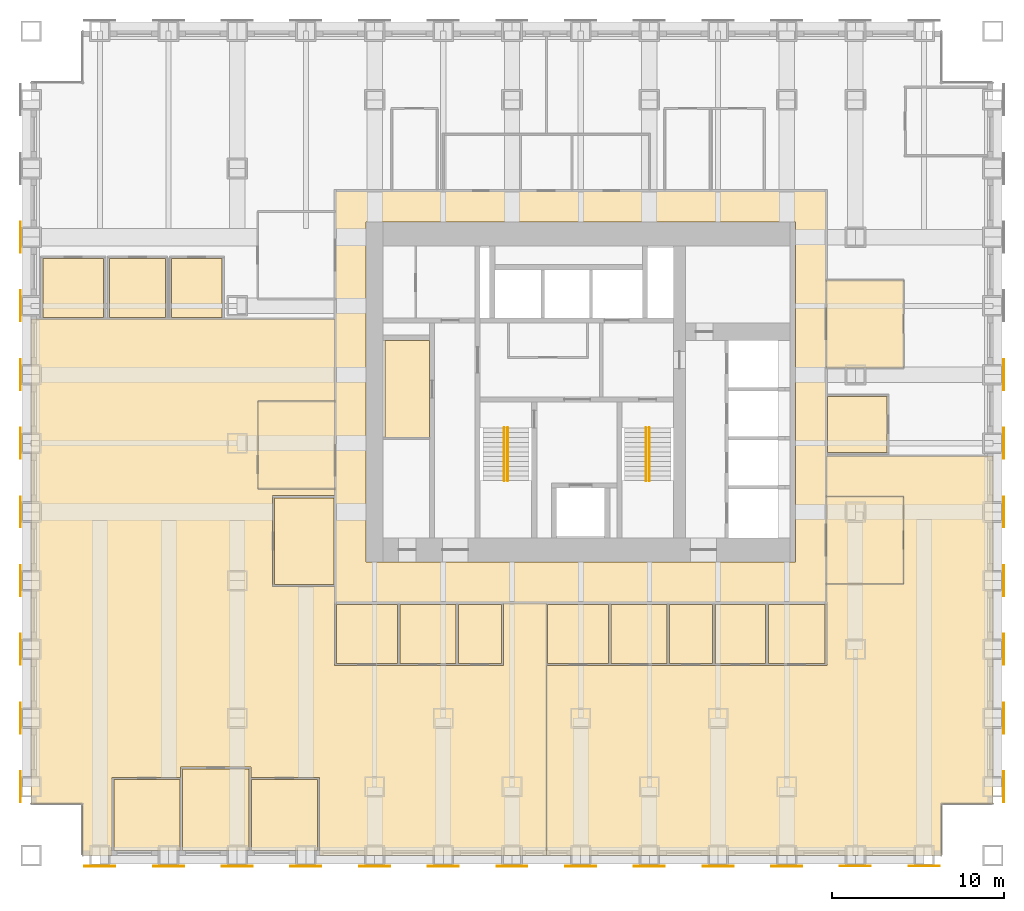
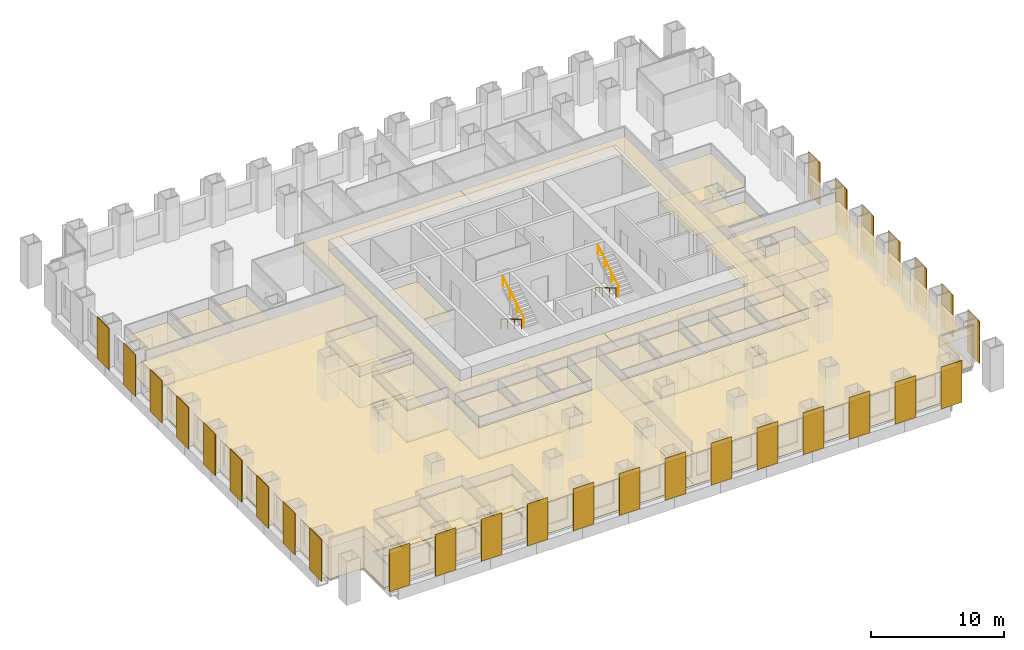
# One storey, part 13 of 14: 44 coverings, 29 shading devices, 4 railings.
"""IFC4 building model written with IfcOpenShell, lengths in metres."""

from ifc_helpers import new_model, si_unit, direction, frame, origin, origin_2d, place, context, subcontext, project, spatial, polyline, rectangle, circle, outline, extrude, material, layer, layer_set, type_object, element, save


model = new_model("IFC4")

# Units and contexts
model_context = context("Model", 3, precision=1e-05, world=origin(), true_north=direction((0.0, 1.0)))
body_context = subcontext(model_context, "Body", "Model", "MODEL_VIEW")
ifc_project = project(units=[si_unit("LENGTHUNIT", "METRE"), si_unit("AREAUNIT", "SQUARE_METRE"), si_unit("VOLUMEUNIT", "CUBIC_METRE"), si_unit("PLANEANGLEUNIT", "RADIAN"), si_unit("MASSUNIT", "GRAM", prefix="KILO")], contexts=[model_context])

# Site, building, storey
site_placement = place(None, origin())
site = spatial("IfcSite", under=ifc_project, at=site_placement, CompositionType="ELEMENT")
building_placement = place(site_placement, origin())
building = spatial("IfcBuilding", under=site, at=building_placement, Name="Rimbunsela Tower", CompositionType="ELEMENT")
storey_placement = place(building_placement, frame((0.0, 0.0, 59.0)))
storey = spatial("IfcBuildingStorey", under=building, at=storey_placement, Name="L14", CompositionType="ELEMENT", Elevation=59.0)

# Coverings
ifc_material_1 = material(Name="Nylon carpet tile", Category="textile")
ifc_layer_1 = layer(ifc_material_1, 0.010009765625)
ifc_layer_set_1 = layer_set([ifc_layer_1], Name="Carpet tile 10")
covering_type_1 = type_object("IfcCoveringType", Name="Carpet tile 10", PredefinedType="FLOORING", material=ifc_layer_set_1)
covering_1_placement = place(storey_placement, origin())
element("IfcCovering", 1, at=covering_1_placement, inside=storey, type_object=covering_type_1, Name="Floor finish Open office", PredefinedType="FLOORING", context=body_context, shape_type="SweptSolid", body=[
    extrude(outline(polyline([(19.449951171875, 11.050048828125), (22.75, 11.050048828125), (22.85009765625, 11.050048828125), (25.5, 11.050048828125), (25.5, 14.699951171875), (27.9990234375, 14.699951171875), (27.9990234375, 0.0), (15.699951171875, 0.0), (14.800048828125, 0.0), (14.800048828125, 4.550048828125), (10.800048828125, 4.550048828125), (10.800048828125, 5.14990234375), (6.699951171875, 5.14990234375), (6.699951171875, 4.550048828125), (2.699951171875, 4.550048828125), (2.699951171875, 0.0), (1.0, 0.0), (1.0, 3.0), (-2.0, 3.0), (-2.0, 31.2490234375), (15.699951171875, 31.2490234375), (15.699951171875, 26.449951171875), (11.199951171875, 26.449951171875), (11.199951171875, 21.35009765625), (15.699951171875, 21.35009765625), (15.699951171875, 20.949951171875), (12.050048828125, 20.949951171875), (12.050048828125, 15.64990234375), (15.699951171875, 15.64990234375), (15.699951171875, 14.75), (15.64990234375, 14.75), (15.64990234375, 11.050048828125), (15.699951171875, 11.050048828125), (19.35009765625, 11.050048828125), (19.449951171875, 11.050048828125)])), origin(), (0.0, 0.0, 1.0), 0.010009765625),
])
covering_2_placement = place(storey_placement, origin())
element("IfcCovering", 2, at=covering_2_placement, inside=storey, type_object=covering_type_1, Name="Floor finish Open office", PredefinedType="FLOORING", context=body_context, shape_type="SweptSolid", body=[
    extrude(outline(polyline([(28.0009765625, 11.050048828125), (31.65087890625, 11.050048828125), (31.7509765625, 11.050048828125), (35.051025390625, 11.050048828125), (35.15087890625, 11.050048828125), (37.700927734375, 11.050048828125), (37.801025390625, 11.050048828125), (40.801025390625, 11.050048828125), (40.90087890625, 11.050048828125), (44.300048828125, 11.050048828125), (44.35009765625, 11.050048828125), (44.35009765625, 14.75), (44.300048828125, 14.75), (44.300048828125, 15.800048828125), (48.800048828125, 15.800048828125), (48.800048828125, 20.89990234375), (44.300048828125, 20.89990234375), (44.300048828125, 23.2490234375), (54.0, 23.2490234375), (54.0, 3.0), (51.0, 3.0), (51.0, 0.0), (44.300048828125, 0.0), (28.0009765625, 0.0), (28.0009765625, 11.050048828125)])), origin(), (0.0, 0.0, 1.0), 0.010009765625),
])
covering_3_placement = place(storey_placement, origin())
element("IfcCovering", 3, at=covering_3_placement, inside=storey, type_object=covering_type_1, Name="Floor finish Reception", PredefinedType="FLOORING", context=body_context, shape_type="SweptSolid", body=[
    extrude(outline(polyline([(15.699951171875, 21.35009765625), (15.699951171875, 26.449951171875), (11.199951171875, 26.449951171875), (11.199951171875, 21.35009765625), (15.699951171875, 21.35009765625)])), origin(), (0.0, 0.0, 1.0), 0.010009765625),
])
covering_4_placement = place(storey_placement, origin())
element("IfcCovering", 4, at=covering_4_placement, inside=storey, type_object=covering_type_1, Name="Floor finish Reception", PredefinedType="FLOORING", context=body_context, shape_type="SweptSolid", body=[
    extrude(outline(polyline([(48.800048828125, 15.800048828125), (48.800048828125, 20.89990234375), (44.300048828125, 20.89990234375), (44.300048828125, 15.800048828125), (48.800048828125, 15.800048828125)])), origin(), (0.0, 0.0, 1.0), 0.010009765625),
])
covering_5_placement = place(storey_placement, origin())
element("IfcCovering", 5, at=covering_5_placement, inside=storey, type_object=covering_type_1, Name="Floor finish Reception", PredefinedType="FLOORING", context=body_context, shape_type="SweptSolid", body=[
    extrude(outline(polyline([(48.800048828125, 28.39990234375), (48.800048828125, 33.5), (44.300048828125, 33.5), (44.300048828125, 28.39990234375), (48.800048828125, 28.39990234375)])), origin(), (0.0, 0.0, 1.0), 0.010009765625),
])
covering_6_placement = place(storey_placement, origin())
element("IfcCovering", 6, at=covering_6_placement, inside=storey, type_object=covering_type_1, Name="Floor finish Executive office", PredefinedType="FLOORING", context=body_context, shape_type="SweptSolid", body=[
    extrude(outline(polyline([(6.675048828125, 0.300048828125), (6.675048828125, 4.425048828125), (2.824951171875, 4.425048828125), (2.824951171875, 0.300048828125), (6.675048828125, 0.300048828125)])), origin(), (0.0, 0.0, 1.0), 0.010009765625),
])
covering_7_placement = place(storey_placement, origin())
element("IfcCovering", 7, at=covering_7_placement, inside=storey, type_object=covering_type_1, Name="Floor finish Meeting room", PredefinedType="FLOORING", context=body_context, shape_type="SweptSolid", body=[
    extrude(outline(polyline([(10.675048828125, 0.300048828125), (10.675048828125, 5.02490234375), (6.824951171875, 5.02490234375), (6.824951171875, 0.300048828125), (10.675048828125, 0.300048828125)])), origin(), (0.0, 0.0, 1.0), 0.010009765625),
])
covering_8_placement = place(storey_placement, origin())
element("IfcCovering", 8, at=covering_8_placement, inside=storey, type_object=covering_type_1, Name="Floor finish Executive office", PredefinedType="FLOORING", context=body_context, shape_type="SweptSolid", body=[
    extrude(outline(polyline([(14.675048828125, 0.300048828125), (14.675048828125, 4.425048828125), (10.824951171875, 4.425048828125), (10.824951171875, 0.300048828125), (14.675048828125, 0.300048828125)])), origin(), (0.0, 0.0, 1.0), 0.010009765625),
])
covering_9_placement = place(storey_placement, origin())
element("IfcCovering", 9, at=covering_9_placement, inside=storey, type_object=covering_type_1, Name="Floor finish Meeting room", PredefinedType="FLOORING", context=body_context, shape_type="SweptSolid", body=[
    extrude(outline(polyline([(19.324951171875, 11.175048828125), (19.324951171875, 14.625), (15.77490234375, 14.625), (15.77490234375, 11.175048828125), (19.324951171875, 11.175048828125)])), origin(), (0.0, 0.0, 1.0), 0.010009765625),
])
covering_10_placement = place(storey_placement, origin())
element("IfcCovering", 10, at=covering_10_placement, inside=storey, type_object=covering_type_1, Name="Floor finish Pantry", PredefinedType="FLOORING", context=body_context, shape_type="SweptSolid", body=[
    extrude(outline(polyline([(22.72509765625, 11.175048828125), (22.72509765625, 14.625), (19.47509765625, 14.625), (19.47509765625, 11.175048828125), (22.72509765625, 11.175048828125)])), origin(), (0.0, 0.0, 1.0), 0.010009765625),
])
covering_11_placement = place(storey_placement, origin())
element("IfcCovering", 11, at=covering_11_placement, inside=storey, type_object=covering_type_1, Name="Floor finish Print and copy room", PredefinedType="FLOORING", context=body_context, shape_type="SweptSolid", body=[
    extrude(outline(polyline([(25.375, 11.175048828125), (25.375, 14.625), (22.875, 14.625), (22.875, 11.175048828125), (25.375, 11.175048828125)])), origin(), (0.0, 0.0, 1.0), 0.010009765625),
])
covering_12_placement = place(storey_placement, origin())
element("IfcCovering", 12, at=covering_12_placement, inside=storey, type_object=covering_type_1, Name="Floor finish Office", PredefinedType="FLOORING", context=body_context, shape_type="SweptSolid", body=[
    extrude(outline(polyline([(15.625, 15.77490234375), (15.625, 20.824951171875), (12.175048828125, 20.824951171875), (12.175048828125, 15.77490234375), (15.625, 15.77490234375)])), origin(), (0.0, 0.0, 1.0), 0.010009765625),
])
covering_13_placement = place(storey_placement, origin())
element("IfcCovering", 13, at=covering_13_placement, inside=storey, type_object=covering_type_1, Name="Floor finish Meeting room", PredefinedType="FLOORING", context=body_context, shape_type="SweptSolid", body=[
    extrude(outline(polyline([(31.6259765625, 11.175048828125), (31.6259765625, 14.625), (28.075927734375, 14.625), (28.075927734375, 11.175048828125), (31.6259765625, 11.175048828125)])), origin(), (0.0, 0.0, 1.0), 0.010009765625),
])
covering_14_placement = place(storey_placement, origin())
element("IfcCovering", 14, at=covering_14_placement, inside=storey, type_object=covering_type_1, Name="Floor finish Pantry", PredefinedType="FLOORING", context=body_context, shape_type="SweptSolid", body=[
    extrude(outline(polyline([(35.02587890625, 11.175048828125), (35.02587890625, 14.625), (31.77587890625, 14.625), (31.77587890625, 11.175048828125), (35.02587890625, 11.175048828125)])), origin(), (0.0, 0.0, 1.0), 0.010009765625),
])
covering_15_placement = place(storey_placement, origin())
element("IfcCovering", 15, at=covering_15_placement, inside=storey, type_object=covering_type_1, Name="Floor finish Print and copy room", PredefinedType="FLOORING", context=body_context, shape_type="SweptSolid", body=[
    extrude(outline(polyline([(37.676025390625, 11.175048828125), (37.676025390625, 14.625), (35.176025390625, 14.625), (35.176025390625, 11.175048828125), (37.676025390625, 11.175048828125)])), origin(), (0.0, 0.0, 1.0), 0.010009765625),
])
covering_16_placement = place(storey_placement, origin())
element("IfcCovering", 16, at=covering_16_placement, inside=storey, type_object=covering_type_1, Name="Floor finish Office", PredefinedType="FLOORING", context=body_context, shape_type="SweptSolid", body=[
    extrude(outline(polyline([(40.77587890625, 11.175048828125), (40.77587890625, 14.625), (37.825927734375, 14.625), (37.825927734375, 11.175048828125), (40.77587890625, 11.175048828125)])), origin(), (0.0, 0.0, 1.0), 0.010009765625),
])
covering_17_placement = place(storey_placement, origin())
element("IfcCovering", 17, at=covering_17_placement, inside=storey, type_object=covering_type_1, Name="Floor finish Focus room", PredefinedType="FLOORING", context=body_context, shape_type="SweptSolid", body=[
    extrude(outline(polyline([(44.22509765625, 11.175048828125), (44.22509765625, 14.625), (40.926025390625, 14.625), (40.926025390625, 11.175048828125), (44.22509765625, 11.175048828125)])), origin(), (0.0, 0.0, 1.0), 0.010009765625),
])
covering_18_placement = place(storey_placement, origin())
element("IfcCovering", 18, at=covering_18_placement, inside=storey, type_object=covering_type_1, Name="Floor finish Meeting room", PredefinedType="FLOORING", context=body_context, shape_type="SweptSolid", body=[
    extrude(outline(polyline([(2.22509765625, 31.324951171875), (2.22509765625, 34.77490234375), (-1.324951171875, 34.77490234375), (-1.324951171875, 31.324951171875), (2.22509765625, 31.324951171875)])), origin(), (0.0, 0.0, 1.0), 0.010009765625),
])
covering_19_placement = place(storey_placement, origin())
element("IfcCovering", 19, at=covering_19_placement, inside=storey, type_object=covering_type_1, Name="Floor finish Pantry", PredefinedType="FLOORING", context=body_context, shape_type="SweptSolid", body=[
    extrude(outline(polyline([(5.824951171875, 31.324951171875), (5.824951171875, 34.77490234375), (2.574951171875, 34.77490234375), (2.574951171875, 31.324951171875), (5.824951171875, 31.324951171875)])), origin(), (0.0, 0.0, 1.0), 0.010009765625),
])
covering_20_placement = place(storey_placement, origin())
element("IfcCovering", 20, at=covering_20_placement, inside=storey, type_object=covering_type_1, Name="Floor finish Pantry", PredefinedType="FLOORING", context=body_context, shape_type="SweptSolid", body=[
    extrude(outline(polyline([(47.824951171875, 23.47509765625), (47.824951171875, 26.72509765625), (44.375, 26.72509765625), (44.375, 23.47509765625), (47.824951171875, 23.47509765625)])), origin(), (0.0, 0.0, 1.0), 0.010009765625),
])
ifc_material_2 = material(Name="Mineral fibre ceiling tile", Category="gypsum")
ifc_layer_2 = layer(ifc_material_2, 0.02001953125)
ifc_layer_set_2 = layer_set([ifc_layer_2], Name="Ceiling 600 grid")
covering_type_2 = type_object("IfcCoveringType", Name="Ceiling 600 grid", PredefinedType="CEILING", material=ifc_layer_set_2)
covering_21_placement = place(storey_placement, frame((0.0, 0.0, 2.89990234375)))
element("IfcCovering", 21, at=covering_21_placement, inside=storey, type_object=covering_type_2, Name="Ceiling IT room", PredefinedType="CEILING", context=body_context, shape_type="SweptSolid", body=[
    extrude(outline(polyline([(21.199951171875, 24.35009765625), (21.199951171875, 30.0), (18.60009765625, 30.0), (18.60009765625, 24.35009765625), (21.199951171875, 24.35009765625)])), origin(), (0.0, 0.0, 1.0), 0.02001953125),
])
covering_22_placement = place(storey_placement, frame((0.0, 0.0, 2.89990234375)))
element("IfcCovering", 22, at=covering_22_placement, inside=storey, type_object=covering_type_2, Name="Ceiling Ring corridor", PredefinedType="CEILING", context=body_context, shape_type="SweptSolid", body=[
    extrude(outline(polyline([(15.699951171875, 38.699951171875), (30.0, 38.699951171875), (30.0, 36.89990234375), (17.5, 36.89990234375), (17.5, 17.10009765625), (30.0, 17.10009765625), (30.0, 14.699951171875), (15.699951171875, 14.699951171875), (15.699951171875, 38.699951171875)])), origin(), (0.0, 0.0, 1.0), 0.02001953125),
])
covering_23_placement = place(storey_placement, frame((0.0, 0.0, 2.89990234375)))
element("IfcCovering", 23, at=covering_23_placement, inside=storey, type_object=covering_type_2, Name="Ceiling Ring corridor", PredefinedType="CEILING", context=body_context, shape_type="SweptSolid", body=[
    extrude(outline(polyline([(44.300048828125, 38.699951171875), (44.300048828125, 14.699951171875), (30.0, 14.699951171875), (30.0, 17.10009765625), (42.5, 17.10009765625), (42.5, 36.89990234375), (30.0, 36.89990234375), (30.0, 38.699951171875), (44.300048828125, 38.699951171875)])), origin(), (0.0, 0.0, 1.0), 0.02001953125),
])
covering_24_placement = place(storey_placement, frame((0.0, 0.0, 2.89990234375)))
element("IfcCovering", 24, at=covering_24_placement, inside=storey, type_object=covering_type_2, Name="Ceiling Open office", PredefinedType="CEILING", context=body_context, shape_type="SweptSolid", body=[
    extrude(outline(polyline([(19.449951171875, 11.050048828125), (22.75, 11.050048828125), (22.85009765625, 11.050048828125), (25.5, 11.050048828125), (25.5, 14.699951171875), (27.9990234375, 14.699951171875), (27.9990234375, 0.0), (15.699951171875, 0.0), (14.800048828125, 0.0), (14.800048828125, 4.550048828125), (10.800048828125, 4.550048828125), (10.800048828125, 5.14990234375), (6.699951171875, 5.14990234375), (6.699951171875, 4.550048828125), (2.699951171875, 4.550048828125), (2.699951171875, 0.0), (1.0, 0.0), (1.0, 3.0), (-2.0, 3.0), (-2.0, 31.2490234375), (15.699951171875, 31.2490234375), (15.699951171875, 26.449951171875), (11.199951171875, 26.449951171875), (11.199951171875, 21.35009765625), (15.699951171875, 21.35009765625), (15.699951171875, 20.949951171875), (12.050048828125, 20.949951171875), (12.050048828125, 15.64990234375), (15.699951171875, 15.64990234375), (15.699951171875, 14.75), (15.64990234375, 14.75), (15.64990234375, 11.050048828125), (15.699951171875, 11.050048828125), (19.35009765625, 11.050048828125), (19.449951171875, 11.050048828125)])), origin(), (0.0, 0.0, 1.0), 0.02001953125),
])
covering_25_placement = place(storey_placement, frame((0.0, 0.0, 2.89990234375)))
element("IfcCovering", 25, at=covering_25_placement, inside=storey, type_object=covering_type_2, Name="Ceiling Open office", PredefinedType="CEILING", context=body_context, shape_type="SweptSolid", body=[
    extrude(outline(polyline([(28.0009765625, 11.050048828125), (31.65087890625, 11.050048828125), (31.7509765625, 11.050048828125), (35.051025390625, 11.050048828125), (35.15087890625, 11.050048828125), (37.700927734375, 11.050048828125), (37.801025390625, 11.050048828125), (40.801025390625, 11.050048828125), (40.90087890625, 11.050048828125), (44.300048828125, 11.050048828125), (44.35009765625, 11.050048828125), (44.35009765625, 14.75), (44.300048828125, 14.75), (44.300048828125, 15.800048828125), (48.800048828125, 15.800048828125), (48.800048828125, 20.89990234375), (44.300048828125, 20.89990234375), (44.300048828125, 23.2490234375), (54.0, 23.2490234375), (54.0, 3.0), (51.0, 3.0), (51.0, 0.0), (44.300048828125, 0.0), (28.0009765625, 0.0), (28.0009765625, 11.050048828125)])), origin(), (0.0, 0.0, 1.0), 0.02001953125),
])
covering_26_placement = place(storey_placement, frame((0.0, 0.0, 2.89990234375)))
element("IfcCovering", 26, at=covering_26_placement, inside=storey, type_object=covering_type_2, Name="Ceiling Reception", PredefinedType="CEILING", context=body_context, shape_type="SweptSolid", body=[
    extrude(outline(polyline([(15.699951171875, 21.35009765625), (15.699951171875, 26.449951171875), (11.199951171875, 26.449951171875), (11.199951171875, 21.35009765625), (15.699951171875, 21.35009765625)])), origin(), (0.0, 0.0, 1.0), 0.02001953125),
])
covering_27_placement = place(storey_placement, frame((0.0, 0.0, 2.89990234375)))
element("IfcCovering", 27, at=covering_27_placement, inside=storey, type_object=covering_type_2, Name="Ceiling Reception", PredefinedType="CEILING", context=body_context, shape_type="SweptSolid", body=[
    extrude(outline(polyline([(48.800048828125, 15.800048828125), (48.800048828125, 20.89990234375), (44.300048828125, 20.89990234375), (44.300048828125, 15.800048828125), (48.800048828125, 15.800048828125)])), origin(), (0.0, 0.0, 1.0), 0.02001953125),
])
covering_28_placement = place(storey_placement, frame((0.0, 0.0, 2.89990234375)))
element("IfcCovering", 28, at=covering_28_placement, inside=storey, type_object=covering_type_2, Name="Ceiling Reception", PredefinedType="CEILING", context=body_context, shape_type="SweptSolid", body=[
    extrude(outline(polyline([(48.800048828125, 28.39990234375), (48.800048828125, 33.5), (44.300048828125, 33.5), (44.300048828125, 28.39990234375), (48.800048828125, 28.39990234375)])), origin(), (0.0, 0.0, 1.0), 0.02001953125),
])
covering_29_placement = place(storey_placement, frame((0.0, 0.0, 2.89990234375)))
element("IfcCovering", 29, at=covering_29_placement, inside=storey, type_object=covering_type_2, Name="Ceiling Executive office", PredefinedType="CEILING", context=body_context, shape_type="SweptSolid", body=[
    extrude(outline(polyline([(6.675048828125, 0.300048828125), (6.675048828125, 4.425048828125), (2.824951171875, 4.425048828125), (2.824951171875, 0.300048828125), (6.675048828125, 0.300048828125)])), origin(), (0.0, 0.0, 1.0), 0.02001953125),
])
covering_30_placement = place(storey_placement, frame((0.0, 0.0, 2.89990234375)))
element("IfcCovering", 30, at=covering_30_placement, inside=storey, type_object=covering_type_2, Name="Ceiling Meeting room", PredefinedType="CEILING", context=body_context, shape_type="SweptSolid", body=[
    extrude(outline(polyline([(10.675048828125, 0.300048828125), (10.675048828125, 5.02490234375), (6.824951171875, 5.02490234375), (6.824951171875, 0.300048828125), (10.675048828125, 0.300048828125)])), origin(), (0.0, 0.0, 1.0), 0.02001953125),
])
covering_31_placement = place(storey_placement, frame((0.0, 0.0, 2.89990234375)))
element("IfcCovering", 31, at=covering_31_placement, inside=storey, type_object=covering_type_2, Name="Ceiling Executive office", PredefinedType="CEILING", context=body_context, shape_type="SweptSolid", body=[
    extrude(outline(polyline([(14.675048828125, 0.300048828125), (14.675048828125, 4.425048828125), (10.824951171875, 4.425048828125), (10.824951171875, 0.300048828125), (14.675048828125, 0.300048828125)])), origin(), (0.0, 0.0, 1.0), 0.02001953125),
])
covering_32_placement = place(storey_placement, frame((0.0, 0.0, 2.89990234375)))
element("IfcCovering", 32, at=covering_32_placement, inside=storey, type_object=covering_type_2, Name="Ceiling Meeting room", PredefinedType="CEILING", context=body_context, shape_type="SweptSolid", body=[
    extrude(outline(polyline([(19.324951171875, 11.175048828125), (19.324951171875, 14.625), (15.77490234375, 14.625), (15.77490234375, 11.175048828125), (19.324951171875, 11.175048828125)])), origin(), (0.0, 0.0, 1.0), 0.02001953125),
])
covering_33_placement = place(storey_placement, frame((0.0, 0.0, 2.89990234375)))
element("IfcCovering", 33, at=covering_33_placement, inside=storey, type_object=covering_type_2, Name="Ceiling Pantry", PredefinedType="CEILING", context=body_context, shape_type="SweptSolid", body=[
    extrude(outline(polyline([(22.72509765625, 11.175048828125), (22.72509765625, 14.625), (19.47509765625, 14.625), (19.47509765625, 11.175048828125), (22.72509765625, 11.175048828125)])), origin(), (0.0, 0.0, 1.0), 0.02001953125),
])
covering_34_placement = place(storey_placement, frame((0.0, 0.0, 2.89990234375)))
element("IfcCovering", 34, at=covering_34_placement, inside=storey, type_object=covering_type_2, Name="Ceiling Print and copy room", PredefinedType="CEILING", context=body_context, shape_type="SweptSolid", body=[
    extrude(outline(polyline([(25.375, 11.175048828125), (25.375, 14.625), (22.875, 14.625), (22.875, 11.175048828125), (25.375, 11.175048828125)])), origin(), (0.0, 0.0, 1.0), 0.02001953125),
])
covering_35_placement = place(storey_placement, frame((0.0, 0.0, 2.89990234375)))
element("IfcCovering", 35, at=covering_35_placement, inside=storey, type_object=covering_type_2, Name="Ceiling Office", PredefinedType="CEILING", context=body_context, shape_type="SweptSolid", body=[
    extrude(outline(polyline([(15.625, 15.77490234375), (15.625, 20.824951171875), (12.175048828125, 20.824951171875), (12.175048828125, 15.77490234375), (15.625, 15.77490234375)])), origin(), (0.0, 0.0, 1.0), 0.02001953125),
])
covering_36_placement = place(storey_placement, frame((0.0, 0.0, 2.89990234375)))
element("IfcCovering", 36, at=covering_36_placement, inside=storey, type_object=covering_type_2, Name="Ceiling Meeting room", PredefinedType="CEILING", context=body_context, shape_type="SweptSolid", body=[
    extrude(outline(polyline([(31.6259765625, 11.175048828125), (31.6259765625, 14.625), (28.075927734375, 14.625), (28.075927734375, 11.175048828125), (31.6259765625, 11.175048828125)])), origin(), (0.0, 0.0, 1.0), 0.02001953125),
])
covering_37_placement = place(storey_placement, frame((0.0, 0.0, 2.89990234375)))
element("IfcCovering", 37, at=covering_37_placement, inside=storey, type_object=covering_type_2, Name="Ceiling Pantry", PredefinedType="CEILING", context=body_context, shape_type="SweptSolid", body=[
    extrude(outline(polyline([(35.02587890625, 11.175048828125), (35.02587890625, 14.625), (31.77587890625, 14.625), (31.77587890625, 11.175048828125), (35.02587890625, 11.175048828125)])), origin(), (0.0, 0.0, 1.0), 0.02001953125),
])
covering_38_placement = place(storey_placement, frame((0.0, 0.0, 2.89990234375)))
element("IfcCovering", 38, at=covering_38_placement, inside=storey, type_object=covering_type_2, Name="Ceiling Print and copy room", PredefinedType="CEILING", context=body_context, shape_type="SweptSolid", body=[
    extrude(outline(polyline([(37.676025390625, 11.175048828125), (37.676025390625, 14.625), (35.176025390625, 14.625), (35.176025390625, 11.175048828125), (37.676025390625, 11.175048828125)])), origin(), (0.0, 0.0, 1.0), 0.02001953125),
])
covering_39_placement = place(storey_placement, frame((0.0, 0.0, 2.89990234375)))
element("IfcCovering", 39, at=covering_39_placement, inside=storey, type_object=covering_type_2, Name="Ceiling Office", PredefinedType="CEILING", context=body_context, shape_type="SweptSolid", body=[
    extrude(outline(polyline([(40.77587890625, 11.175048828125), (40.77587890625, 14.625), (37.825927734375, 14.625), (37.825927734375, 11.175048828125), (40.77587890625, 11.175048828125)])), origin(), (0.0, 0.0, 1.0), 0.02001953125),
])
covering_40_placement = place(storey_placement, frame((0.0, 0.0, 2.89990234375)))
element("IfcCovering", 40, at=covering_40_placement, inside=storey, type_object=covering_type_2, Name="Ceiling Focus room", PredefinedType="CEILING", context=body_context, shape_type="SweptSolid", body=[
    extrude(outline(polyline([(44.22509765625, 11.175048828125), (44.22509765625, 14.625), (40.926025390625, 14.625), (40.926025390625, 11.175048828125), (44.22509765625, 11.175048828125)])), origin(), (0.0, 0.0, 1.0), 0.02001953125),
])
covering_41_placement = place(storey_placement, frame((0.0, 0.0, 2.89990234375)))
element("IfcCovering", 41, at=covering_41_placement, inside=storey, type_object=covering_type_2, Name="Ceiling Meeting room", PredefinedType="CEILING", context=body_context, shape_type="SweptSolid", body=[
    extrude(outline(polyline([(2.22509765625, 31.324951171875), (2.22509765625, 34.77490234375), (-1.324951171875, 34.77490234375), (-1.324951171875, 31.324951171875), (2.22509765625, 31.324951171875)])), origin(), (0.0, 0.0, 1.0), 0.02001953125),
])
covering_42_placement = place(storey_placement, frame((0.0, 0.0, 2.89990234375)))
element("IfcCovering", 42, at=covering_42_placement, inside=storey, type_object=covering_type_2, Name="Ceiling Pantry", PredefinedType="CEILING", context=body_context, shape_type="SweptSolid", body=[
    extrude(outline(polyline([(5.824951171875, 31.324951171875), (5.824951171875, 34.77490234375), (2.574951171875, 34.77490234375), (2.574951171875, 31.324951171875), (5.824951171875, 31.324951171875)])), origin(), (0.0, 0.0, 1.0), 0.02001953125),
])
covering_43_placement = place(storey_placement, frame((0.0, 0.0, 2.89990234375)))
element("IfcCovering", 43, at=covering_43_placement, inside=storey, type_object=covering_type_2, Name="Ceiling Office", PredefinedType="CEILING", context=body_context, shape_type="SweptSolid", body=[
    extrude(outline(polyline([(9.125, 31.324951171875), (9.125, 34.77490234375), (6.175048828125, 34.77490234375), (6.175048828125, 31.324951171875), (9.125, 31.324951171875)])), origin(), (0.0, 0.0, 1.0), 0.02001953125),
])
covering_44_placement = place(storey_placement, frame((0.0, 0.0, 2.89990234375)))
element("IfcCovering", 44, at=covering_44_placement, inside=storey, type_object=covering_type_2, Name="Ceiling Pantry", PredefinedType="CEILING", context=body_context, shape_type="SweptSolid", body=[
    extrude(outline(polyline([(47.824951171875, 23.47509765625), (47.824951171875, 26.72509765625), (44.375, 26.72509765625), (44.375, 23.47509765625), (47.824951171875, 23.47509765625)])), origin(), (0.0, 0.0, 1.0), 0.02001953125),
])

# Shading devices
ifc_material_3 = material(Name="Perforated aluminium, 35 % open area", Category="aluminium")
ifc_layer_3 = layer(ifc_material_3, 0.050048828125)
ifc_layer_set_3 = layer_set([ifc_layer_3], Name="Solar screen panel 1800")
shading_device_type = type_object("IfcShadingDeviceType", Name="Solar screen panel 1800", PredefinedType="USERDEFINED", material=ifc_layer_set_3)
for number, where, z_axis, x_axis, name in (
    (45, (2.0, -0.625, 0.0), (0.0, 0.0, 1.0), (1.0, 0.0, 0.0), "Solar screen S L14"),
    (46, (6.0, -0.625, 0.0), (0.0, 0.0, 1.0), (1.0, 0.0, 0.0), "Solar screen S L14"),
    (47, (10.0, -0.625, 0.0), (0.0, 0.0, 1.0), (1.0, 0.0, 0.0), "Solar screen S L14"),
    (48, (14.0, -0.625, 0.0), (0.0, 0.0, 1.0), (1.0, 0.0, 0.0), "Solar screen S L14"),
    (49, (18.0, -0.625, 0.0), (0.0, 0.0, 1.0), (1.0, 0.0, 0.0), "Solar screen S L14"),
    (50, (22.0, -0.625, 0.0), (0.0, 0.0, 1.0), (1.0, 0.0, 0.0), "Solar screen S L14"),
    (51, (26.0, -0.625, 0.0), (0.0, 0.0, 1.0), (1.0, 0.0, 0.0), "Solar screen S L14"),
    (52, (30.0, -0.625, 0.0), (0.0, 0.0, 1.0), (1.0, 0.0, 0.0), "Solar screen S L14"),
    (53, (34.0, -0.625, 0.0), (0.0, 0.0, 1.0), (1.0, 0.0, 0.0), "Solar screen S L14"),
    (54, (38.0, -0.625, 0.0), (0.0, 0.0, 1.0), (1.0, 0.0, 0.0), "Solar screen S L14"),
    (55, (42.0, -0.625, 0.0), (0.0, 0.0, 1.0), (1.0, 0.0, 0.0), "Solar screen S L14"),
    (56, (46.0, -0.625, 0.0), (0.0, 0.0, 1.0), (1.0, 0.0, 0.0), "Solar screen S L14"),
    (57, (50.0, -0.625, 0.0), (0.0, 0.0, 1.0), (1.0, 0.0, 0.0), "Solar screen S L14"),
    (58, (54.625, 4.0, 0.0), (0.0, 0.0, 1.0), (0.0, 1.0, 0.0), "Solar screen E L14"),
    (59, (54.625, 8.0, 0.0), (0.0, 0.0, 1.0), (0.0, 1.0, 0.0), "Solar screen E L14"),
    (60, (54.625, 12.0, 0.0), (0.0, 0.0, 1.0), (0.0, 1.0, 0.0), "Solar screen E L14"),
    (61, (54.625, 16.0, 0.0), (0.0, 0.0, 1.0), (0.0, 1.0, 0.0), "Solar screen E L14"),
    (62, (54.625, 20.0, 0.0), (0.0, 0.0, 1.0), (0.0, 1.0, 0.0), "Solar screen E L14"),
    (63, (54.625, 24.0, 0.0), (0.0, 0.0, 1.0), (0.0, 1.0, 0.0), "Solar screen E L14"),
    (64, (54.625, 28.0, 0.0), (0.0, 0.0, 1.0), (0.0, 1.0, 0.0), "Solar screen E L14"),
    (65, (-2.625, 4.0, 0.0), (0.0, 0.0, 1.0), (0.0, 1.0, 0.0), "Solar screen W L14"),
    (66, (-2.625, 8.0, 0.0), (0.0, 0.0, 1.0), (0.0, 1.0, 0.0), "Solar screen W L14"),
    (67, (-2.625, 12.0, 0.0), (0.0, 0.0, 1.0), (0.0, 1.0, 0.0), "Solar screen W L14"),
    (68, (-2.625, 16.0, 0.0), (0.0, 0.0, 1.0), (0.0, 1.0, 0.0), "Solar screen W L14"),
    (69, (-2.625, 20.0, 0.0), (0.0, 0.0, 1.0), (0.0, 1.0, 0.0), "Solar screen W L14"),
    (70, (-2.625, 24.0, 0.0), (0.0, 0.0, 1.0), (0.0, 1.0, 0.0), "Solar screen W L14"),
    (71, (-2.625, 28.0, 0.0), (0.0, 0.0, 1.0), (0.0, 1.0, 0.0), "Solar screen W L14"),
    (72, (-2.625, 32.0, 0.0), (0.0, 0.0, 1.0), (0.0, 1.0, 0.0), "Solar screen W L14"),
    (73, (-2.625, 36.0, 0.0), (0.0, 0.0, 1.0), (0.0, 1.0, 0.0), "Solar screen W L14"),
):
    element("IfcShadingDevice", number, at=place(storey_placement, frame(where, z_axis=z_axis, x_axis=x_axis)), inside=storey, type_object=shading_device_type, Name=name, ObjectType="SCREEN", PredefinedType="USERDEFINED", context=body_context, shape_type="SweptSolid", body=[
        extrude(rectangle(XDim=1.800048828125, YDim=0.050048828125, at=origin_2d()), origin(), (0.0, 0.0, 1.0), 3.85009765625),
    ])

# Railings
ifc_material_4 = material(Name="Stainless steel tube", Category="steel")
railing_type = type_object("IfcRailingType", Name="Stair handrail 900", PredefinedType="HANDRAIL", material=ifc_material_4)
railing_1_placement = place(storey_placement, frame((25.550048828125, 24.89990234375, 0.166748046875)))
element("IfcRailing", 74, at=railing_1_placement, inside=storey, type_object=railing_type, Name="Handrail ST-A flight 1", PredefinedType="HANDRAIL", context=body_context, shape_type="SweptSolid", body=[
    extrude(circle(Radius=0.02392578125, at=origin_2d()), frame((0.0, 0.0, 0.8759765625), z_axis=(0.0, -0.859290745958, 0.51148745235), x_axis=(1.0, 0.0, 0.0)), (0.0, 0.0, 1.0), 3.584228515625),
    extrude(circle(Radius=0.02099609375, at=origin_2d()), origin(), (0.0, 0.0, 1.0), 0.851806640625),
    extrude(circle(Radius=0.02099609375, at=origin_2d()), frame((0.0, -1.026611328125, 0.611083984375)), (0.0, 0.0, 1.0), 0.851806640625),
    extrude(circle(Radius=0.02099609375, at=origin_2d()), frame((0.0, -2.05322265625, 1.22216796875)), (0.0, 0.0, 1.0), 0.851806640625),
    extrude(circle(Radius=0.02099609375, at=origin_2d()), frame((0.0, -3.079833984375, 1.833251953125)), (0.0, 0.0, 1.0), 0.851806640625),
])
railing_2_placement = place(storey_placement, frame((25.75, 21.820068359375, 2.166748046875)))
element("IfcRailing", 75, at=railing_2_placement, inside=storey, type_object=railing_type, Name="Handrail ST-A flight 2", PredefinedType="HANDRAIL", context=body_context, shape_type="SweptSolid", body=[
    extrude(circle(Radius=0.02392578125, at=origin_2d()), frame((0.0, 0.0, 0.8759765625), z_axis=(0.0, 0.859290745958, 0.51148745235), x_axis=(-1.0, 0.0, 0.0)), (0.0, 0.0, 1.0), 3.584228515625),
    extrude(circle(Radius=0.02099609375, at=origin_2d()), origin(), (0.0, 0.0, 1.0), 0.851806640625),
    extrude(circle(Radius=0.02099609375, at=origin_2d()), frame((0.0, 1.026611328125, 0.611083984375)), (0.0, 0.0, 1.0), 0.851806640625),
    extrude(circle(Radius=0.02099609375, at=origin_2d()), frame((0.0, 2.05322265625, 1.22216796875)), (0.0, 0.0, 1.0), 0.851806640625),
    extrude(circle(Radius=0.02099609375, at=origin_2d()), frame((0.0, 3.079833984375, 1.833251953125)), (0.0, 0.0, 1.0), 0.851806640625),
])
railing_3_placement = place(storey_placement, frame((33.800048828125, 24.89990234375, 0.166748046875)))
element("IfcRailing", 76, at=railing_3_placement, inside=storey, type_object=railing_type, Name="Handrail ST-B flight 1", PredefinedType="HANDRAIL", context=body_context, shape_type="SweptSolid", body=[
    extrude(circle(Radius=0.02392578125, at=origin_2d()), frame((0.0, 0.0, 0.8759765625), z_axis=(0.0, -0.859290745958, 0.51148745235), x_axis=(1.0, 0.0, 0.0)), (0.0, 0.0, 1.0), 3.584228515625),
    extrude(circle(Radius=0.02099609375, at=origin_2d()), origin(), (0.0, 0.0, 1.0), 0.851806640625),
    extrude(circle(Radius=0.02099609375, at=origin_2d()), frame((0.0, -1.026611328125, 0.611083984375)), (0.0, 0.0, 1.0), 0.851806640625),
    extrude(circle(Radius=0.02099609375, at=origin_2d()), frame((0.0, -2.05322265625, 1.22216796875)), (0.0, 0.0, 1.0), 0.851806640625),
    extrude(circle(Radius=0.02099609375, at=origin_2d()), frame((0.0, -3.079833984375, 1.833251953125)), (0.0, 0.0, 1.0), 0.851806640625),
])
railing_4_placement = place(storey_placement, frame((34.0, 21.820068359375, 2.166748046875)))
element("IfcRailing", 77, at=railing_4_placement, inside=storey, type_object=railing_type, Name="Handrail ST-B flight 2", PredefinedType="HANDRAIL", context=body_context, shape_type="SweptSolid", body=[
    extrude(circle(Radius=0.02392578125, at=origin_2d()), frame((0.0, 0.0, 0.8759765625), z_axis=(0.0, 0.859290745958, 0.51148745235), x_axis=(-1.0, 0.0, 0.0)), (0.0, 0.0, 1.0), 3.584228515625),
    extrude(circle(Radius=0.02099609375, at=origin_2d()), origin(), (0.0, 0.0, 1.0), 0.851806640625),
    extrude(circle(Radius=0.02099609375, at=origin_2d()), frame((0.0, 1.026611328125, 0.611083984375)), (0.0, 0.0, 1.0), 0.851806640625),
    extrude(circle(Radius=0.02099609375, at=origin_2d()), frame((0.0, 2.05322265625, 1.22216796875)), (0.0, 0.0, 1.0), 0.851806640625),
    extrude(circle(Radius=0.02099609375, at=origin_2d()), frame((0.0, 3.079833984375, 1.833251953125)), (0.0, 0.0, 1.0), 0.851806640625),
])

save(model, "model.ifc")
